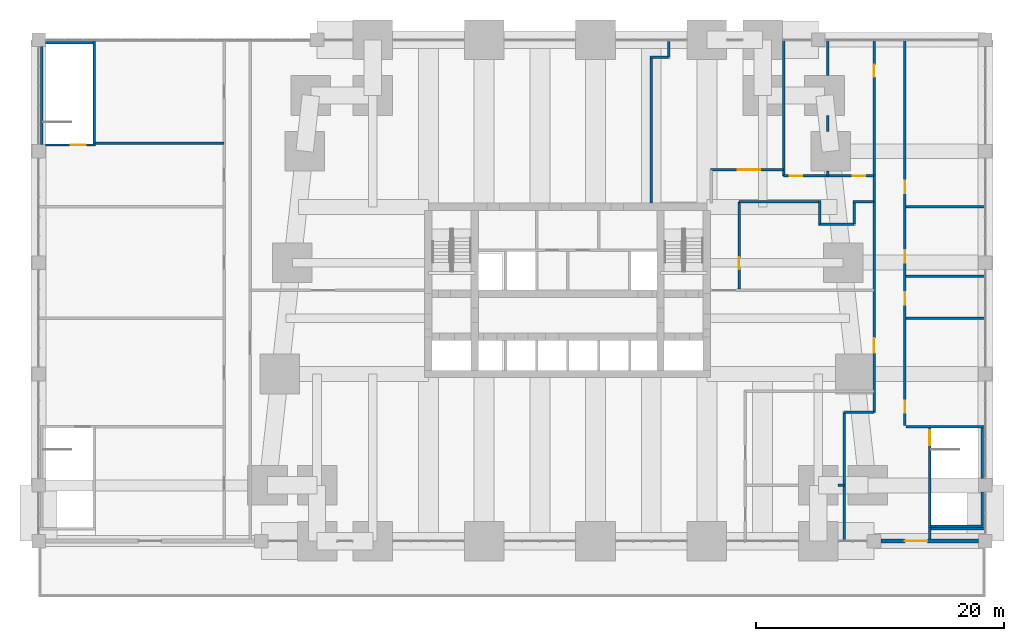
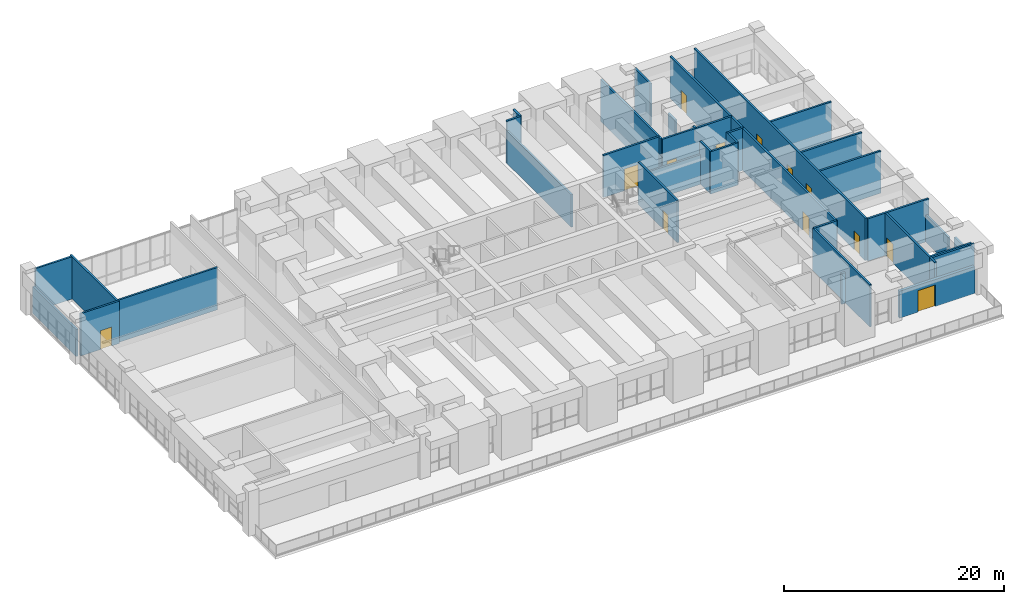
# One storey, part 19 of 22: 36 walls, 13 doors, 13 openings.
"""IFC4 building model written with IfcOpenShell, lengths in metres."""

from ifc_helpers import new_model, si_unit, direction, frame, frame_2d, origin, place, context, subcontext, project, spatial, rectangle, extrude, material, layer, layer_set, type_object, element, fill, save


model = new_model("IFC4")

# Units and contexts
model_context = context("Model", 3, precision=1e-05, world=origin(), true_north=direction((0.0, 1.0)))
body_context = subcontext(model_context, "Body", "Model", "MODEL_VIEW")
ifc_project = project(units=[si_unit("LENGTHUNIT", "METRE"), si_unit("AREAUNIT", "SQUARE_METRE"), si_unit("VOLUMEUNIT", "CUBIC_METRE"), si_unit("PLANEANGLEUNIT", "RADIAN"), si_unit("MASSUNIT", "GRAM", prefix="KILO")], contexts=[model_context])

# Site, building, storey
site_placement = place(None, origin())
site = spatial("IfcSite", under=ifc_project, at=site_placement, CompositionType="ELEMENT")
building_placement = place(site_placement, origin())
building = spatial("IfcBuilding", under=site, at=building_placement, Name="Kilele Tower Hotel", CompositionType="ELEMENT")
storey_placement = place(building_placement, frame((0.0, 0.0, 19.0)))
storey = spatial("IfcBuildingStorey", under=building, at=storey_placement, Name="L03", CompositionType="ELEMENT", Elevation=19.0)

# Walls
ifc_material_1 = material(Name="Blockwork, plastered both sides", Category="masonry")
ifc_layer_1 = layer(ifc_material_1, 0.199951171875)
ifc_layer_set_1 = layer_set([ifc_layer_1], Name="Blockwork, plastered both sides")
wall_type_1 = type_object("IfcWallType", Name="Partition wall 200", PredefinedType="PARTITIONING", material=ifc_layer_set_1)
wall_1_placement = place(storey_placement, frame((47.10009765625, 0.0, 0.0), z_axis=(0.0, 0.0, 1.0), x_axis=(0.0, 1.0, 0.0)))
element("IfcWall", 1, at=wall_1_placement, inside=storey, type_object=wall_type_1, Name="Partition wall 200 L03", PredefinedType="PARTITIONING", context=body_context, shape_type="SweptSolid", body=[
    extrude(rectangle(XDim=10.39990234375, YDim=0.199951171875, at=frame_2d((5.199951171875, 0.0))), origin(), (0.0, 0.0, 1.0), 4.699951171875),
])
wall_2_placement = place(storey_placement, frame((47.10009765625, 10.39990234375, 0.0), z_axis=(0.0, 0.0, 1.0), x_axis=(1.0, 0.0, 0.0)))
element("IfcWall", 2, at=wall_2_placement, inside=storey, type_object=wall_type_1, Name="Partition wall 200 L03", PredefinedType="PARTITIONING", context=body_context, shape_type="SweptSolid", body=[
    extrude(rectangle(XDim=2.39990234375, YDim=0.199951171875, at=frame_2d((1.199951171875, 0.0))), origin(), (0.0, 0.0, 1.0), 4.699951171875),
])

# Wall, openings, doors
wall_3_placement = place(storey_placement, frame((49.5, 10.39990234375, 0.0), z_axis=(0.0, 0.0, 1.0), x_axis=(0.0, 1.0, 0.0)))
wall_3 = element("IfcWall", 3, at=wall_3_placement, inside=storey, type_object=wall_type_1, Name="Partition wall 200 L03", PredefinedType="PARTITIONING", context=body_context, shape_type="SweptSolid", body=[
    extrude(rectangle(XDim=30.10009765625, YDim=0.199951171875, at=frame_2d((15.050048828125, 0.0))), origin(), (0.0, 0.0, 1.0), 4.699951171875),
])
opening_1_placement = place(wall_3_placement, frame((27.10009765625, 0.0, 0.0)))
opening_1 = element("IfcOpeningElement", 4, at=opening_1_placement, cuts=wall_3, Name="Opening D8", PredefinedType="OPENING", context=body_context, shape_type="SweptSolid", body=[
    extrude(rectangle(XDim=1.0, YDim=2.10009765625, at=frame_2d((0.5, 1.050048828125))), frame((0.0, 0.10986328125, 0.0), z_axis=(0.0, -1.0, 0.0), x_axis=(1.0, 0.0, 0.0)), (0.0, 0.0, 1.0), 0.219970703125),
])
opening_2_placement = place(wall_3_placement, frame((4.800048828125, 0.0, 0.0)))
opening_2 = element("IfcOpeningElement", 5, at=opening_2_placement, cuts=wall_3, Name="Opening D8A", PredefinedType="OPENING", context=body_context, shape_type="SweptSolid", body=[
    extrude(rectangle(XDim=1.199951171875, YDim=2.10009765625, at=frame_2d((0.60009765625, 1.050048828125))), frame((0.0, 0.10986328125, 0.0), z_axis=(0.0, -1.0, 0.0), x_axis=(1.0, 0.0, 0.0)), (0.0, 0.0, 1.0), 0.219970703125),
])
ifc_material_2 = material(Name="Timber door leaf in hardwood frame", Category="wood")
door_type_1 = type_object("IfcDoorType", Name="Door 1000", OperationType="SINGLE_SWING_LEFT", PredefinedType="DOOR", material=ifc_material_2)
door_1_placement = place(opening_1_placement, origin())
door_1 = element("IfcDoor", 6, at=door_1_placement, inside=storey, type_object=door_type_1, Name="Door meeting room 5", OperationType="SINGLE_SWING_RIGHT", OverallHeight=2.10009765625, OverallWidth=1.0, PredefinedType="DOOR", context=body_context, shape_type="SweptSolid", body=[
    extrude(rectangle(XDim=1.0, YDim=2.10009765625, at=frame_2d((0.5, 1.050048828125))), frame((0.0, 0.02490234375, 0.0), z_axis=(0.0, -1.0, 0.0), x_axis=(1.0, 0.0, 0.0)), (0.0, 0.0, 1.0), 0.050048828125),
])
fill(opening_1, door_1)
ifc_material_3 = material(Name="Timber door leaf in hardwood frame", Category="wood")
door_type_2 = type_object("IfcDoorType", Name="Door 1200", OperationType="SINGLE_SWING_LEFT", PredefinedType="DOOR", material=ifc_material_3)
door_2_placement = place(opening_2_placement, origin())
door_2 = element("IfcDoor", 7, at=door_2_placement, inside=storey, type_object=door_type_2, Name="Door service corridor", OperationType="SINGLE_SWING_LEFT", OverallHeight=2.10009765625, OverallWidth=1.199951171875, PredefinedType="DOOR", context=body_context, shape_type="SweptSolid", body=[
    extrude(rectangle(XDim=1.199951171875, YDim=2.10009765625, at=frame_2d((0.60009765625, 1.050048828125))), frame((0.0, 0.02490234375, 0.0), z_axis=(0.0, -1.0, 0.0), x_axis=(1.0, 0.0, 0.0)), (0.0, 0.0, 1.0), 0.050048828125),
])
fill(opening_2, door_2)

# Walls
wall_4_placement = place(storey_placement, frame((-13.5, 32.14990234375, 0.0), z_axis=(0.0, 0.0, 1.0), x_axis=(1.0, 0.0, 0.0)))
element("IfcWall", 8, at=wall_4_placement, inside=storey, type_object=wall_type_1, Name="Partition wall 200 L03", PredefinedType="PARTITIONING", context=body_context, shape_type="SweptSolid", body=[
    extrude(rectangle(XDim=10.5, YDim=0.199951171875, at=frame_2d((5.25, 0.0))), origin(), (0.0, 0.0, 1.0), 4.699951171875),
])
wall_5_placement = place(storey_placement, frame((46.60009765625, 4.5, 0.0), z_axis=(0.0, 0.0, 1.0), x_axis=(1.0, 0.0, 0.0)))
element("IfcWall", 9, at=wall_5_placement, inside=storey, type_object=wall_type_1, Name="Partition wall 200 L03", PredefinedType="PARTITIONING", context=body_context, shape_type="SweptSolid", body=[
    extrude(rectangle(XDim=0.5, YDim=0.199951171875, at=frame_2d((0.25, 0.0))), origin(), (0.0, 0.0, 1.0), 3.39990234375),
])
wall_6_placement = place(storey_placement, frame((31.5, 27.300048828125, 0.0), z_axis=(0.0, 0.0, 1.0), x_axis=(0.0, 1.0, 0.0)))
element("IfcWall", 10, at=wall_6_placement, inside=storey, type_object=wall_type_1, Name="Partition wall 200 L03", PredefinedType="PARTITIONING", context=body_context, shape_type="SweptSolid", body=[
    extrude(rectangle(XDim=11.800048828125, YDim=0.199951171875, at=frame_2d((5.89990234375, 0.0))), origin(), (0.0, 0.0, 1.0), 3.60009765625),
])
wall_7_placement = place(storey_placement, frame((31.39990234375, 39.10009765625, 0.0), z_axis=(0.0, 0.0, 1.0), x_axis=(1.0, 0.0, 0.0)))
element("IfcWall", 11, at=wall_7_placement, inside=storey, type_object=wall_type_1, Name="Partition wall 200 L03", PredefinedType="PARTITIONING", context=body_context, shape_type="SweptSolid", body=[
    extrude(rectangle(XDim=1.5, YDim=0.199951171875, at=frame_2d((0.75, 0.0))), origin(), (0.0, 0.0, 1.0), 4.699951171875),
])
wall_8_placement = place(storey_placement, frame((32.89990234375, 39.10009765625, 0.0), z_axis=(0.0, 0.0, 1.0), x_axis=(0.0, 1.0, 0.0)))
element("IfcWall", 12, at=wall_8_placement, inside=storey, type_object=wall_type_1, Name="Partition wall 200 L03", PredefinedType="PARTITIONING", context=body_context, shape_type="SweptSolid", body=[
    extrude(rectangle(XDim=1.25, YDim=0.199951171875, at=frame_2d((0.625, 0.0))), origin(), (0.0, 0.0, 1.0), 4.699951171875),
])

# Wall, opening, door
wall_9_placement = place(storey_placement, frame((38.60009765625, 20.35009765625, 0.0), z_axis=(0.0, 0.0, 1.0), x_axis=(0.0, 1.0, 0.0)))
wall_9 = element("IfcWall", 13, at=wall_9_placement, inside=storey, type_object=wall_type_1, Name="Partition wall 200 L03", PredefinedType="PARTITIONING", context=body_context, shape_type="SweptSolid", body=[
    extrude(rectangle(XDim=7.0498046875, YDim=0.199951171875, at=frame_2d((3.52490234375, 0.0))), origin(), (0.0, 0.0, 1.0), 4.699951171875),
])
opening_3_placement = place(wall_9_placement, frame((2.60009765625, 0.0, 0.0), z_axis=(0.0, 0.0, 1.0), x_axis=(-1.0, 0.0, 0.0)))
opening_3 = element("IfcOpeningElement", 14, at=opening_3_placement, cuts=wall_9, Name="Opening D8", PredefinedType="OPENING", context=body_context, shape_type="SweptSolid", body=[
    extrude(rectangle(XDim=1.0, YDim=2.10009765625, at=frame_2d((0.5, 1.050048828125))), frame((0.0, 0.10986328125, 0.0), z_axis=(0.0, -1.0, 0.0), x_axis=(1.0, 0.0, 0.0)), (0.0, 0.0, 1.0), 0.219970703125),
])
door_3_placement = place(opening_3_placement, origin())
door_3 = element("IfcDoor", 15, at=door_3_placement, inside=storey, type_object=door_type_1, Name="Door business centre", OperationType="SINGLE_SWING_RIGHT", OverallHeight=2.10009765625, OverallWidth=1.0, PredefinedType="DOOR", context=body_context, shape_type="SweptSolid", body=[
    extrude(rectangle(XDim=1.0, YDim=2.10009765625, at=frame_2d((0.5, 1.050048828125))), frame((0.0, 0.02490234375, 0.0), z_axis=(0.0, -1.0, 0.0), x_axis=(1.0, 0.0, 0.0)), (0.0, 0.0, 1.0), 0.050048828125),
])
fill(opening_3, door_3)

# Walls
wall_10_placement = place(storey_placement, frame((38.60009765625, 27.39990234375, 0.0), z_axis=(0.0, 0.0, 1.0), x_axis=(1.0, 0.0, 0.0)))
element("IfcWall", 16, at=wall_10_placement, inside=storey, type_object=wall_type_1, Name="Partition wall 200 L03", PredefinedType="PARTITIONING", context=body_context, shape_type="SweptSolid", body=[
    extrude(rectangle(XDim=6.5, YDim=0.199951171875, at=frame_2d((3.25, 0.0))), origin(), (0.0, 0.0, 1.0), 3.300048828125),
])
wall_11_placement = place(storey_placement, frame((45.10009765625, 25.60009765625, 0.0), z_axis=(0.0, 0.0, 1.0), x_axis=(0.0, 1.0, 0.0)))
element("IfcWall", 17, at=wall_11_placement, inside=storey, type_object=wall_type_1, Name="Partition wall 200 L03", PredefinedType="PARTITIONING", context=body_context, shape_type="SweptSolid", body=[
    extrude(rectangle(XDim=1.89990234375, YDim=0.199951171875, at=frame_2d((0.949951171875, 0.0))), origin(), (0.0, 0.0, 1.0), 4.699951171875),
])
wall_12_placement = place(storey_placement, frame((45.0, 25.60009765625, 0.0), z_axis=(0.0, 0.0, 1.0), x_axis=(1.0, 0.0, 0.0)))
element("IfcWall", 18, at=wall_12_placement, inside=storey, type_object=wall_type_1, Name="Partition wall 200 L03", PredefinedType="PARTITIONING", context=body_context, shape_type="SweptSolid", body=[
    extrude(rectangle(XDim=2.89990234375, YDim=0.199951171875, at=frame_2d((1.449951171875, 0.0))), origin(), (0.0, 0.0, 1.0), 4.699951171875),
])
wall_13_placement = place(storey_placement, frame((47.89990234375, 25.60009765625, 0.0), z_axis=(0.0, 0.0, 1.0), x_axis=(0.0, 1.0, 0.0)))
element("IfcWall", 19, at=wall_13_placement, inside=storey, type_object=wall_type_1, Name="Partition wall 200 L03", PredefinedType="PARTITIONING", context=body_context, shape_type="SweptSolid", body=[
    extrude(rectangle(XDim=1.89990234375, YDim=0.199951171875, at=frame_2d((0.949951171875, 0.0))), origin(), (0.0, 0.0, 1.0), 4.699951171875),
])
wall_14_placement = place(storey_placement, frame((47.800048828125, 27.39990234375, 0.0), z_axis=(0.0, 0.0, 1.0), x_axis=(1.0, 0.0, 0.0)))
element("IfcWall", 20, at=wall_14_placement, inside=storey, type_object=wall_type_1, Name="Partition wall 200 L03", PredefinedType="PARTITIONING", context=body_context, shape_type="SweptSolid", body=[
    extrude(rectangle(XDim=1.699951171875, YDim=0.199951171875, at=frame_2d((0.85009765625, 0.0))), origin(), (0.0, 0.0, 1.0), 4.699951171875),
])

# Wall, opening, door
wall_15_placement = place(storey_placement, frame((36.300048828125, 30.0, 0.0), z_axis=(0.0, 0.0, 1.0), x_axis=(1.0, 0.0, 0.0)))
wall_15 = element("IfcWall", 21, at=wall_15_placement, inside=storey, type_object=wall_type_1, Name="Partition wall 200 L03", PredefinedType="PARTITIONING", context=body_context, shape_type="SweptSolid", body=[
    extrude(rectangle(XDim=5.89990234375, YDim=0.199951171875, at=frame_2d((2.949951171875, 0.0))), origin(), (0.0, 0.0, 1.0), 4.699951171875),
])
opening_4_placement = place(wall_15_placement, frame((4.0, 0.0, 0.0), z_axis=(0.0, 0.0, 1.0), x_axis=(-1.0, 0.0, 0.0)))
opening_4 = element("IfcOpeningElement", 22, at=opening_4_placement, cuts=wall_15, Name="Opening D9", PredefinedType="OPENING", context=body_context, shape_type="SweptSolid", body=[
    extrude(rectangle(XDim=1.800048828125, YDim=2.39990234375, at=frame_2d((0.89990234375, 1.199951171875))), frame((0.0, 0.10986328125, 0.0), z_axis=(0.0, -1.0, 0.0), x_axis=(1.0, 0.0, 0.0)), (0.0, 0.0, 1.0), 0.219970703125),
])
ifc_material_4 = material(Name="Timber door leaf in hardwood frame", Category="wood")
door_type_3 = type_object("IfcDoorType", Name="Double door 1800", OperationType="DOUBLE_DOOR_SINGLE_SWING", PredefinedType="DOOR", material=ifc_material_4)
door_4_placement = place(opening_4_placement, origin())
door_4 = element("IfcDoor", 23, at=door_4_placement, inside=storey, type_object=door_type_3, Name="Door executive boardroom", OperationType="DOUBLE_DOOR_SINGLE_SWING", OverallHeight=2.39990234375, OverallWidth=1.800048828125, PredefinedType="DOOR", context=body_context, shape_type="SweptSolid", body=[
    extrude(rectangle(XDim=1.800048828125, YDim=2.39990234375, at=frame_2d((0.89990234375, 1.199951171875))), frame((0.0, 0.02490234375, 0.0), z_axis=(0.0, -1.0, 0.0), x_axis=(1.0, 0.0, 0.0)), (0.0, 0.0, 1.0), 0.050048828125),
])
fill(opening_4, door_4)

# Wall, openings, doors
wall_16_placement = place(storey_placement, frame((42.199951171875, 29.5, 0.0), z_axis=(0.0, 0.0, 1.0), x_axis=(1.0, 0.0, 0.0)))
wall_16 = element("IfcWall", 24, at=wall_16_placement, inside=storey, type_object=wall_type_1, Name="Partition wall 200 L03", PredefinedType="PARTITIONING", context=body_context, shape_type="SweptSolid", body=[
    extrude(rectangle(XDim=7.300048828125, YDim=0.199951171875, at=frame_2d((3.64990234375, 0.0))), origin(), (0.0, 0.0, 1.0), 4.699951171875),
])
opening_5_placement = place(wall_16_placement, frame((0.5, 0.0, 0.0)))
opening_5 = element("IfcOpeningElement", 25, at=opening_5_placement, cuts=wall_16, Name="Opening D8", PredefinedType="OPENING", context=body_context, shape_type="SweptSolid", body=[
    extrude(rectangle(XDim=1.0, YDim=2.10009765625, at=frame_2d((0.5, 1.050048828125))), frame((0.0, 0.10986328125, 0.0), z_axis=(0.0, -1.0, 0.0), x_axis=(1.0, 0.0, 0.0)), (0.0, 0.0, 1.0), 0.219970703125),
])
opening_6_placement = place(wall_16_placement, frame((5.60009765625, 0.0, 0.0)))
opening_6 = element("IfcOpeningElement", 26, at=opening_6_placement, cuts=wall_16, Name="Opening D8", PredefinedType="OPENING", context=body_context, shape_type="SweptSolid", body=[
    extrude(rectangle(XDim=1.0, YDim=2.10009765625, at=frame_2d((0.5, 1.050048828125))), frame((0.0, 0.10986328125, 0.0), z_axis=(0.0, -1.0, 0.0), x_axis=(1.0, 0.0, 0.0)), (0.0, 0.0, 1.0), 0.219970703125),
])
door_5_placement = place(opening_5_placement, origin())
door_5 = element("IfcDoor", 27, at=door_5_placement, inside=storey, type_object=door_type_1, Name="Door meeting room 6", OperationType="SINGLE_SWING_LEFT", OverallHeight=2.10009765625, OverallWidth=1.0, PredefinedType="DOOR", context=body_context, shape_type="SweptSolid", body=[
    extrude(rectangle(XDim=1.0, YDim=2.10009765625, at=frame_2d((0.5, 1.050048828125))), frame((0.0, 0.02490234375, 0.0), z_axis=(0.0, -1.0, 0.0), x_axis=(1.0, 0.0, 0.0)), (0.0, 0.0, 1.0), 0.050048828125),
])
fill(opening_5, door_5)
door_6_placement = place(opening_6_placement, origin())
door_6 = element("IfcDoor", 28, at=door_6_placement, inside=storey, type_object=door_type_1, Name="Door meeting room 5", OperationType="SINGLE_SWING_RIGHT", OverallHeight=2.10009765625, OverallWidth=1.0, PredefinedType="DOOR", context=body_context, shape_type="SweptSolid", body=[
    extrude(rectangle(XDim=1.0, YDim=2.10009765625, at=frame_2d((0.5, 1.050048828125))), frame((0.0, 0.02490234375, 0.0), z_axis=(0.0, -1.0, 0.0), x_axis=(1.0, 0.0, 0.0)), (0.0, 0.0, 1.0), 0.050048828125),
])
fill(opening_6, door_6)

# Walls
wall_17_placement = place(storey_placement, frame((42.199951171875, 29.5, 0.0), z_axis=(0.0, 0.0, 1.0), x_axis=(0.0, 1.0, 0.0)))
element("IfcWall", 29, at=wall_17_placement, inside=storey, type_object=wall_type_1, Name="Partition wall 200 L03", PredefinedType="PARTITIONING", context=body_context, shape_type="SweptSolid", body=[
    extrude(rectangle(XDim=11.0, YDim=0.199951171875, at=frame_2d((5.5, 0.0))), origin(), (0.0, 0.0, 1.0), 4.699951171875),
])
wall_18_placement = place(storey_placement, frame((45.75, 29.5, 0.0), z_axis=(0.0, 0.0, 1.0), x_axis=(0.0, 1.0, 0.0)))
element("IfcWall", 30, at=wall_18_placement, inside=storey, type_object=wall_type_1, Name="Partition wall 200 L03", PredefinedType="PARTITIONING", context=body_context, shape_type="SweptSolid", body=[
    extrude(rectangle(XDim=0.39990234375, YDim=0.199951171875, at=frame_2d((0.199951171875, 0.0))), origin(), (0.0, 0.0, 1.0), 4.699951171875),
])
wall_19_placement = place(storey_placement, frame((45.75, 33.10009765625, 0.0), z_axis=(0.0, 0.0, 1.0), x_axis=(0.0, 1.0, 0.0)))
element("IfcWall", 31, at=wall_19_placement, inside=storey, type_object=wall_type_1, Name="Partition wall 200 L03", PredefinedType="PARTITIONING", context=body_context, shape_type="SweptSolid", body=[
    extrude(rectangle(XDim=1.2998046875, YDim=0.199951171875, at=frame_2d((0.64990234375, 0.0))), origin(), (0.0, 0.0, 1.0), 3.39990234375),
])
wall_20_placement = place(storey_placement, frame((45.75, 37.60009765625, 0.0), z_axis=(0.0, 0.0, 1.0), x_axis=(0.0, 1.0, 0.0)))
element("IfcWall", 32, at=wall_20_placement, inside=storey, type_object=wall_type_1, Name="Partition wall 200 L03", PredefinedType="PARTITIONING", context=body_context, shape_type="SweptSolid", body=[
    extrude(rectangle(XDim=2.89990234375, YDim=0.199951171875, at=frame_2d((1.449951171875, 0.0))), origin(), (0.0, 0.0, 1.0), 4.699951171875),
])

# Wall, openings, doors
wall_21_placement = place(storey_placement, frame((52.0, 9.35009765625, 0.0), z_axis=(0.0, 0.0, 1.0), x_axis=(0.0, 1.0, 0.0)))
wall_21 = element("IfcWall", 33, at=wall_21_placement, inside=storey, type_object=wall_type_1, Name="Partition wall 200 L03", PredefinedType="PARTITIONING", context=body_context, shape_type="SweptSolid", body=[
    extrude(rectangle(XDim=31.14990234375, YDim=0.199951171875, at=frame_2d((15.574951171875, 0.0))), origin(), (0.0, 0.0, 1.0), 4.699951171875),
])
opening_7_placement = place(wall_21_placement, frame((2.0, 0.0, 0.0), z_axis=(0.0, 0.0, 1.0), x_axis=(-1.0, 0.0, 0.0)))
opening_7 = element("IfcOpeningElement", 34, at=opening_7_placement, cuts=wall_21, Name="Opening D8", PredefinedType="OPENING", context=body_context, shape_type="SweptSolid", body=[
    extrude(rectangle(XDim=1.0, YDim=2.10009765625, at=frame_2d((0.5, 1.050048828125))), frame((0.0, 0.10986328125, 0.0), z_axis=(0.0, -1.0, 0.0), x_axis=(1.0, 0.0, 0.0)), (0.0, 0.0, 1.0), 0.219970703125),
])
opening_8_placement = place(wall_21_placement, frame((10.75, 0.0, 0.0), z_axis=(0.0, 0.0, 1.0), x_axis=(-1.0, 0.0, 0.0)))
opening_8 = element("IfcOpeningElement", 35, at=opening_8_placement, cuts=wall_21, Name="Opening D8", PredefinedType="OPENING", context=body_context, shape_type="SweptSolid", body=[
    extrude(rectangle(XDim=1.0, YDim=2.10009765625, at=frame_2d((0.5, 1.050048828125))), frame((0.0, 0.10986328125, 0.0), z_axis=(0.0, -1.0, 0.0), x_axis=(1.0, 0.0, 0.0)), (0.0, 0.0, 1.0), 0.219970703125),
])
opening_9_placement = place(wall_21_placement, frame((14.14990234375, 0.0, 0.0), z_axis=(0.0, 0.0, 1.0), x_axis=(-1.0, 0.0, 0.0)))
opening_9 = element("IfcOpeningElement", 36, at=opening_9_placement, cuts=wall_21, Name="Opening D8", PredefinedType="OPENING", context=body_context, shape_type="SweptSolid", body=[
    extrude(rectangle(XDim=1.0, YDim=2.10009765625, at=frame_2d((0.5, 1.050048828125))), frame((0.0, 0.10986328125, 0.0), z_axis=(0.0, -1.0, 0.0), x_axis=(1.0, 0.0, 0.0)), (0.0, 0.0, 1.0), 0.219970703125),
])
opening_10_placement = place(wall_21_placement, frame((19.75, 0.0, 0.0), z_axis=(0.0, 0.0, 1.0), x_axis=(-1.0, 0.0, 0.0)))
opening_10 = element("IfcOpeningElement", 37, at=opening_10_placement, cuts=wall_21, Name="Opening D8", PredefinedType="OPENING", context=body_context, shape_type="SweptSolid", body=[
    extrude(rectangle(XDim=1.0, YDim=2.10009765625, at=frame_2d((0.5, 1.050048828125))), frame((0.0, 0.10986328125, 0.0), z_axis=(0.0, -1.0, 0.0), x_axis=(1.0, 0.0, 0.0)), (0.0, 0.0, 1.0), 0.219970703125),
])
door_7_placement = place(opening_7_placement, origin())
door_7 = element("IfcDoor", 38, at=door_7_placement, inside=storey, type_object=door_type_1, Name="Door WC men", OperationType="SINGLE_SWING_RIGHT", OverallHeight=2.10009765625, OverallWidth=1.0, PredefinedType="DOOR", context=body_context, shape_type="SweptSolid", body=[
    extrude(rectangle(XDim=1.0, YDim=2.10009765625, at=frame_2d((0.5, 1.050048828125))), frame((0.0, 0.02490234375, 0.0), z_axis=(0.0, -1.0, 0.0), x_axis=(1.0, 0.0, 0.0)), (0.0, 0.0, 1.0), 0.050048828125),
])
fill(opening_7, door_7)
door_8_placement = place(opening_8_placement, origin())
door_8 = element("IfcDoor", 39, at=door_8_placement, inside=storey, type_object=door_type_1, Name="Door Accessible WC", OperationType="SINGLE_SWING_RIGHT", OverallHeight=2.10009765625, OverallWidth=1.0, PredefinedType="DOOR", context=body_context, shape_type="SweptSolid", body=[
    extrude(rectangle(XDim=1.0, YDim=2.10009765625, at=frame_2d((0.5, 1.050048828125))), frame((0.0, 0.02490234375, 0.0), z_axis=(0.0, -1.0, 0.0), x_axis=(1.0, 0.0, 0.0)), (0.0, 0.0, 1.0), 0.050048828125),
])
fill(opening_8, door_8)
door_9_placement = place(opening_9_placement, origin())
door_9 = element("IfcDoor", 40, at=door_9_placement, inside=storey, type_object=door_type_1, Name="Door WC women", OperationType="SINGLE_SWING_RIGHT", OverallHeight=2.10009765625, OverallWidth=1.0, PredefinedType="DOOR", context=body_context, shape_type="SweptSolid", body=[
    extrude(rectangle(XDim=1.0, YDim=2.10009765625, at=frame_2d((0.5, 1.050048828125))), frame((0.0, 0.02490234375, 0.0), z_axis=(0.0, -1.0, 0.0), x_axis=(1.0, 0.0, 0.0)), (0.0, 0.0, 1.0), 0.050048828125),
])
fill(opening_9, door_9)
door_10_placement = place(opening_10_placement, origin())
door_10 = element("IfcDoor", 41, at=door_10_placement, inside=storey, type_object=door_type_1, Name="Door Administration office", OperationType="SINGLE_SWING_RIGHT", OverallHeight=2.10009765625, OverallWidth=1.0, PredefinedType="DOOR", context=body_context, shape_type="SweptSolid", body=[
    extrude(rectangle(XDim=1.0, YDim=2.10009765625, at=frame_2d((0.5, 1.050048828125))), frame((0.0, 0.02490234375, 0.0), z_axis=(0.0, -1.0, 0.0), x_axis=(1.0, 0.0, 0.0)), (0.0, 0.0, 1.0), 0.050048828125),
])
fill(opening_10, door_10)

# Walls
for number, where, z_axis, x_axis, name in (
    (42, (52.10009765625, 18.0, 0.0), (0.0, 0.0, 1.0), (1.0, 0.0, 0.0), "Partition wall 200 L03"),
    (43, (52.10009765625, 21.39990234375, 0.0), (0.0, 0.0, 1.0), (1.0, 0.0, 0.0), "Partition wall 200 L03"),
    (44, (52.10009765625, 27.0, 0.0), (0.0, 0.0, 1.0), (1.0, 0.0, 0.0), "Partition wall 200 L03"),
):
    element("IfcWall", number, at=place(storey_placement, frame(where, z_axis=z_axis, x_axis=x_axis)), inside=storey, type_object=wall_type_1, Name=name, PredefinedType="PARTITIONING", context=body_context, shape_type="SweptSolid", body=[
        extrude(rectangle(XDim=6.39990234375, YDim=0.199951171875, at=frame_2d((3.199951171875, 0.0))), origin(), (0.0, 0.0, 1.0), 4.699951171875),
    ])

# Wall, opening, door
ifc_material_5 = material(Name="Concrete C40/50 precast", Category="concrete")
ifc_layer_2 = layer(ifc_material_5, 0.260009765625, Name="Precast backing", Category="LoadBearing")
ifc_material_6 = material(Name="Reconstituted stone finish", Category="masonry")
ifc_layer_3 = layer(ifc_material_6, 0.0400390625, Name="Face mix", Category="Finish")
ifc_layer_set_2 = layer_set([ifc_layer_2, ifc_layer_3], Name="Precast concrete C40/50, reconstituted stone finish")
wall_type_2 = type_object("IfcWallType", Name="Precast stone facade wall 300", PredefinedType="STANDARD", material=ifc_layer_set_2)
wall_22_placement = place(storey_placement, frame((50.050048828125, 0.0, 0.0), z_axis=(0.0, 0.0, 1.0), x_axis=(1.0, 0.0, 0.0)))
wall_22 = element("IfcWall", 45, at=wall_22_placement, inside=storey, type_object=wall_type_2, Name="Podium terrace wall L03", PredefinedType="STANDARD", context=body_context, shape_type="SweptSolid", body=[
    extrude(rectangle(XDim=7.89990234375, YDim=0.300048828125, at=frame_2d((3.949951171875, 0.0))), origin(), (0.0, 0.0, 1.0), 3.0),
])
opening_11_placement = place(wall_22_placement, frame((3.75, 0.0, 0.0), z_axis=(0.0, 0.0, 1.0), x_axis=(-1.0, 0.0, 0.0)))
opening_11 = element("IfcOpeningElement", 46, at=opening_11_placement, cuts=wall_22, Name="Opening TD2", PredefinedType="OPENING", context=body_context, shape_type="SweptSolid", body=[
    extrude(rectangle(XDim=1.800048828125, YDim=2.39990234375, at=frame_2d((0.89990234375, 1.199951171875))), frame((0.0, 0.159912109375, 0.0), z_axis=(0.0, -1.0, 0.0), x_axis=(1.0, 0.0, 0.0)), (0.0, 0.0, 1.0), 0.320068359375),
])
ifc_material_7 = material(Name="Aluminium frame, clear glazing", Category="aluminium")
door_type_4 = type_object("IfcDoorType", Name="Terrace door 1800", OperationType="DOUBLE_DOOR_SINGLE_SWING", PredefinedType="DOOR", material=ifc_material_7)
door_11_placement = place(opening_11_placement, origin())
door_11 = element("IfcDoor", 47, at=door_11_placement, inside=storey, type_object=door_type_4, Name="Terrace door", OperationType="DOUBLE_DOOR_SINGLE_SWING", OverallHeight=2.39990234375, OverallWidth=1.800048828125, PredefinedType="DOOR", context=body_context, shape_type="SweptSolid", body=[
    extrude(rectangle(XDim=1.800048828125, YDim=2.39990234375, at=frame_2d((0.89990234375, 1.199951171875))), frame((0.0, 0.02490234375, 0.0), z_axis=(0.0, -1.0, 0.0), x_axis=(1.0, 0.0, 0.0)), (0.0, 0.0, 1.0), 0.050048828125),
])
fill(opening_11, door_11)

# Walls
ifc_material_8 = material(Name="Blockwork, fire-rated", Category="masonry")
ifc_layer_4 = layer(ifc_material_8, 0.199951171875)
ifc_layer_set_3 = layer_set([ifc_layer_4], Name="Blockwork, fire-rated")
wall_type_3 = type_object("IfcWallType", Name="Stair enclosure wall 200", PredefinedType="SOLIDWALL", material=ifc_layer_set_3)
wall_23_placement = place(storey_placement, frame((54.0, 1.0, 0.0), z_axis=(0.0, 0.0, 1.0), x_axis=(1.0, 0.0, 0.0)))
element("IfcWall", 48, at=wall_23_placement, inside=storey, type_object=wall_type_3, Name="Stair enclosure wall 200 L03", PredefinedType="SOLIDWALL", context=body_context, shape_type="SweptSolid", body=[
    extrude(rectangle(XDim=4.5, YDim=0.199951171875, at=frame_2d((2.25, 0.0))), origin(), (0.0, 0.0, 1.0), 4.699951171875),
])
wall_24_placement = place(storey_placement, frame((54.0, 0.14990234375, 0.0), z_axis=(0.0, 0.0, 1.0), x_axis=(0.0, 1.0, 0.0)))
element("IfcWall", 49, at=wall_24_placement, inside=storey, type_object=wall_type_3, Name="Stair enclosure wall 200 L03", PredefinedType="SOLIDWALL", context=body_context, shape_type="SweptSolid", body=[
    extrude(rectangle(XDim=0.9501953125, YDim=0.199951171875, at=frame_2d((0.47509765625, 0.0))), origin(), (0.0, 0.0, 1.0), 4.699951171875),
])

# Wall, opening, door
ifc_material_9 = material(Name="Concrete C40/50", Category="concrete")
ifc_layer_5 = layer(ifc_material_9, 0.199951171875)
ifc_layer_set_4 = layer_set([ifc_layer_5], Name="Concrete C40/50")
wall_type_4 = type_object("IfcWallType", Name="Stair wall RC 200 C40/50", PredefinedType="SOLIDWALL", material=ifc_layer_set_4)
wall_25_placement = place(storey_placement, frame((-17.449951171875, 32.0, 0.0), z_axis=(0.0, 0.0, 1.0), x_axis=(1.0, 0.0, 0.0)))
wall_25 = element("IfcWall", 50, at=wall_25_placement, inside=storey, type_object=wall_type_4, Name="Stair wall RC 200 C40/50 L03", PredefinedType="SOLIDWALL", context=body_context, shape_type="SweptSolid", body=[
    extrude(rectangle(XDim=4.050048828125, YDim=0.199951171875, at=frame_2d((2.02490234375, 0.0))), origin(), (0.0, 0.0, 1.0), 4.699951171875),
])
opening_12_placement = place(wall_25_placement, frame((2.050048828125, 0.0, 0.0)))
opening_12 = element("IfcOpeningElement", 51, at=opening_12_placement, cuts=wall_25, Name="Opening D5A", PredefinedType="OPENING", context=body_context, shape_type="SweptSolid", body=[
    extrude(rectangle(XDim=1.199951171875, YDim=2.10009765625, at=frame_2d((0.60009765625, 1.050048828125))), frame((0.0, 0.10986328125, 0.0), z_axis=(0.0, -1.0, 0.0), x_axis=(1.0, 0.0, 0.0)), (0.0, 0.0, 1.0), 0.219970703125),
])
ifc_material_10 = material(Name="Timber door leaf in hardwood frame", Category="wood")
door_type_5 = type_object("IfcDoorType", Name="Stair door 1200", OperationType="SINGLE_SWING_LEFT", PredefinedType="DOOR", material=ifc_material_10)
door_12_placement = place(opening_12_placement, origin())
door_12 = element("IfcDoor", 52, at=door_12_placement, inside=storey, type_object=door_type_5, Name="Stair 3 door", OperationType="SINGLE_SWING_RIGHT", OverallHeight=2.10009765625, OverallWidth=1.199951171875, PredefinedType="DOOR", context=body_context, shape_type="SweptSolid", body=[
    extrude(rectangle(XDim=1.199951171875, YDim=2.10009765625, at=frame_2d((0.60009765625, 1.050048828125))), frame((0.0, 0.02490234375, 0.0), z_axis=(0.0, -1.0, 0.0), x_axis=(1.0, 0.0, 0.0)), (0.0, 0.0, 1.0), 0.050048828125),
])
fill(opening_12, door_12)

# Wall
wall_26_placement = place(storey_placement, frame((-13.5, 32.10009765625, 0.0), z_axis=(0.0, 0.0, 1.0), x_axis=(0.0, 1.0, 0.0)))
element("IfcWall", 53, at=wall_26_placement, inside=storey, type_object=wall_type_4, Name="Stair wall RC 200 C40/50 L03", PredefinedType="SOLIDWALL", context=body_context, shape_type="SweptSolid", body=[
    extrude(rectangle(XDim=8.39990234375, YDim=0.199951171875, at=frame_2d((4.199951171875, 0.0))), origin(), (0.0, 0.0, 1.0), 4.699951171875),
])

# Wall, opening, door
wall_27_placement = place(storey_placement, frame((54.0, 1.10009765625, 0.0), z_axis=(0.0, 0.0, 1.0), x_axis=(0.0, 1.0, 0.0)))
wall_27 = element("IfcWall", 54, at=wall_27_placement, inside=storey, type_object=wall_type_4, Name="Stair wall RC 200 C40/50 L03", PredefinedType="SOLIDWALL", context=body_context, shape_type="SweptSolid", body=[
    extrude(rectangle(XDim=8.0498046875, YDim=0.199951171875, at=frame_2d((4.02490234375, 0.0))), origin(), (0.0, 0.0, 1.0), 4.699951171875),
])
opening_13_placement = place(wall_27_placement, frame((7.849853515625, 0.0, 0.0), z_axis=(0.0, 0.0, 1.0), x_axis=(-1.0, 0.0, 0.0)))
opening_13 = element("IfcOpeningElement", 55, at=opening_13_placement, cuts=wall_27, Name="Opening D5A", PredefinedType="OPENING", context=body_context, shape_type="SweptSolid", body=[
    extrude(rectangle(XDim=1.199951171875, YDim=2.10009765625, at=frame_2d((0.60009765625, 1.050048828125))), frame((0.0, 0.10986328125, 0.0), z_axis=(0.0, -1.0, 0.0), x_axis=(1.0, 0.0, 0.0)), (0.0, 0.0, 1.0), 0.219970703125),
])
door_13_placement = place(opening_13_placement, origin())
door_13 = element("IfcDoor", 56, at=door_13_placement, inside=storey, type_object=door_type_5, Name="Stair 5 door", OperationType="SINGLE_SWING_LEFT", OverallHeight=2.10009765625, OverallWidth=1.199951171875, PredefinedType="DOOR", context=body_context, shape_type="SweptSolid", body=[
    extrude(rectangle(XDim=1.199951171875, YDim=2.10009765625, at=frame_2d((0.60009765625, 1.050048828125))), frame((0.0, 0.02490234375, 0.0), z_axis=(0.0, -1.0, 0.0), x_axis=(1.0, 0.0, 0.0)), (0.0, 0.0, 1.0), 0.050048828125),
])
fill(opening_13, door_13)

# Walls
wall_28_placement = place(storey_placement, frame((52.10009765625, 9.25, 0.0), z_axis=(0.0, 0.0, 1.0), x_axis=(1.0, 0.0, 0.0)))
element("IfcWall", 57, at=wall_28_placement, inside=storey, type_object=wall_type_4, Name="Stair wall RC 200 C40/50 L03", PredefinedType="SOLIDWALL", context=body_context, shape_type="SweptSolid", body=[
    extrude(rectangle(XDim=6.39990234375, YDim=0.199951171875, at=frame_2d((3.199951171875, 0.0))), origin(), (0.0, 0.0, 1.0), 4.699951171875),
])
wall_29_placement = place(storey_placement, frame((-17.75, 32.050048828125, 0.0), z_axis=(0.0, 0.0, 1.0), x_axis=(0.0, 1.0, 0.0)))
element("IfcWall", 58, at=wall_29_placement, inside=storey, type_object=wall_type_4, Name="Stair wall RC 200 C40/50 L03", PredefinedType="SOLIDWALL", context=body_context, shape_type="SweptSolid", body=[
    extrude(rectangle(XDim=7.89990234375, YDim=0.199951171875, at=frame_2d((3.949951171875, 0.0))), origin(), (0.0, 0.0, 1.0), 3.0),
])
wall_30_placement = place(storey_placement, frame((-17.449951171875, 40.25, 0.0), z_axis=(0.0, 0.0, 1.0), x_axis=(1.0, 0.0, 0.0)))
element("IfcWall", 59, at=wall_30_placement, inside=storey, type_object=wall_type_4, Name="Stair wall RC 200 C40/50 L03", PredefinedType="SOLIDWALL", context=body_context, shape_type="SweptSolid", body=[
    extrude(rectangle(XDim=3.849853515625, YDim=0.199951171875, at=frame_2d((1.9248046875, 0.0))), origin(), (0.0, 0.0, 1.0), 4.699951171875),
])
wall_31_placement = place(storey_placement, frame((54.10009765625, 1.199951171875, 0.0), z_axis=(0.0, 0.0, 1.0), x_axis=(1.0, 0.0, 0.0)))
element("IfcWall", 60, at=wall_31_placement, inside=storey, type_object=wall_type_4, Name="Stair wall RC 200 C40/50 L03", PredefinedType="SOLIDWALL", context=body_context, shape_type="SweptSolid", body=[
    extrude(rectangle(XDim=4.25, YDim=0.199951171875, at=frame_2d((2.125, 0.0))), origin(), (0.0, 0.0, 1.0), 4.699951171875),
])
wall_32_placement = place(storey_placement, frame((58.25, 1.300048828125, 0.0), z_axis=(0.0, 0.0, 1.0), x_axis=(0.0, 1.0, 0.0)))
element("IfcWall", 61, at=wall_32_placement, inside=storey, type_object=wall_type_4, Name="Stair wall RC 200 C40/50 L03", PredefinedType="SOLIDWALL", context=body_context, shape_type="SweptSolid", body=[
    extrude(rectangle(XDim=2.64990234375, YDim=0.199951171875, at=frame_2d((1.324951171875, 0.0))), origin(), (0.0, 0.0, 1.0), 3.699951171875),
])
wall_33_placement = place(storey_placement, frame((58.25, 5.050048828125, 0.0), z_axis=(0.0, 0.0, 1.0), x_axis=(0.0, 1.0, 0.0)))
element("IfcWall", 62, at=wall_33_placement, inside=storey, type_object=wall_type_4, Name="Stair wall RC 200 C40/50 L03", PredefinedType="SOLIDWALL", context=body_context, shape_type="SweptSolid", body=[
    extrude(rectangle(XDim=4.099853515625, YDim=0.199951171875, at=frame_2d((2.0498046875, 0.0))), origin(), (0.0, 0.0, 1.0), 3.0),
])

save(model, "model.ifc")
